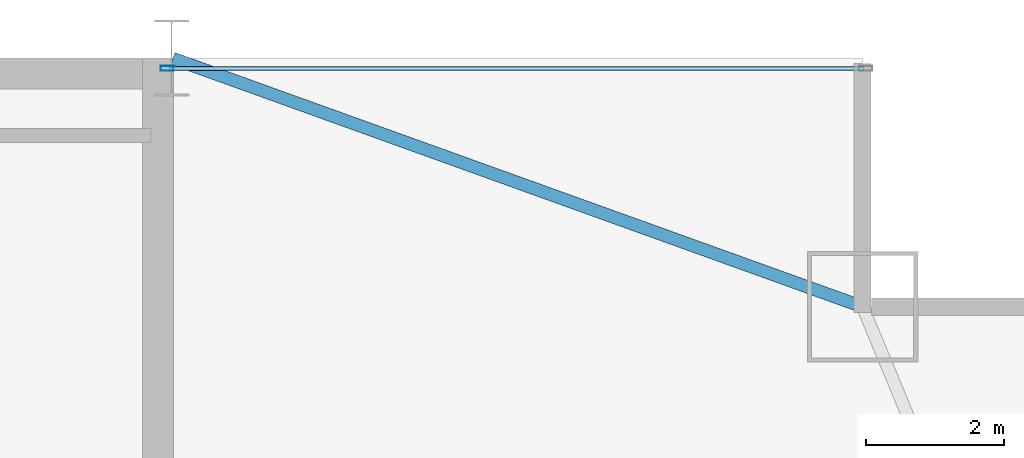
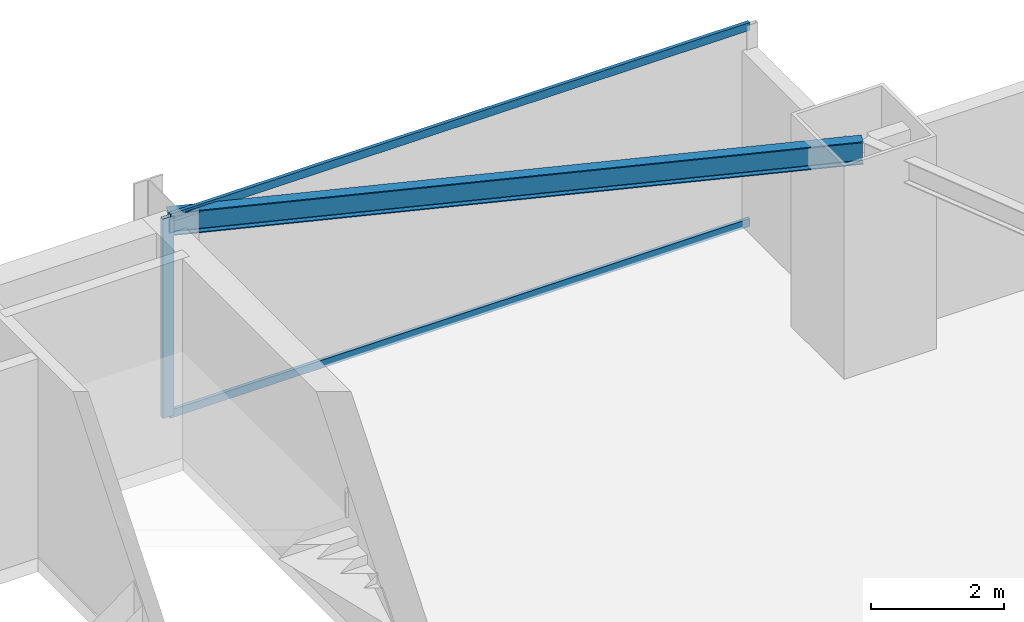
# One storey, part 22 of 31: 3 members, 1 beam, 1 element without a shape of its own.
"""IFC4 building model written with IfcOpenShell, lengths in metres."""

from ifc_helpers import new_model, si_unit, direction, frame, origin, origin_2d, place, context, subcontext, project, spatial, hollow_rectangle, i_section, extrude, source, transform, mapped, material, layer, layer_set, material_profile, profile_set, type_object, type_shapes, element, aggregate, save


model = new_model("IFC4")

# Units and contexts
model_context = context("Model", 3, precision=1e-05, world=origin(), true_north=direction((0.0, 1.0)))
body_context = subcontext(model_context, "Body", "Model", "MODEL_VIEW")
ifc_project = project(units=[si_unit("LENGTHUNIT", "METRE"), si_unit("AREAUNIT", "SQUARE_METRE"), si_unit("VOLUMEUNIT", "CUBIC_METRE"), si_unit("PLANEANGLEUNIT", "RADIAN"), si_unit("MASSUNIT", "GRAM", prefix="KILO")], contexts=[model_context])

# Site, building, storey
site_placement = place(None, origin())
site = spatial("IfcSite", under=ifc_project, at=site_placement, CompositionType="ELEMENT")
building_placement = place(site_placement, origin())
building = spatial("IfcBuilding", under=site, at=building_placement, Name="Varnel Quay Broadcast Tower", CompositionType="ELEMENT")
storey_placement = place(building_placement, frame((0.0, 0.0, 35.39990234375)))
storey = spatial("IfcBuildingStorey", under=building, at=storey_placement, Name="L07", CompositionType="ELEMENT", Elevation=35.39990234375)

# Beam
ifc_material_1 = material(Name="Structural Steel CSA G40.21 350W", Category="steel")
ifc_material_profile_1 = material_profile(ifc_material_1, i_section(OverallWidth=0.180908203125, OverallDepth=0.4169921875, WebThickness=0.010986328125, FlangeThickness=0.018310546875, FilletRadius=0.011962890625, at=origin_2d()), Name="W410X85")
ifc_profile_set_1 = profile_set([ifc_material_profile_1], Name="Structural Steel CSA G40.21 350W")
beam_type = type_object("IfcBeamType", Name="Beam_W410X85", PredefinedType="SPANDREL", material=ifc_profile_set_1)
shared_shape_1 = source(origin(), body_context, "Body", "SweptSolid", [
    extrude(i_section(OverallWidth=0.180908203125, OverallDepth=0.4169921875, WebThickness=0.010986328125, FlangeThickness=0.018310546875, FilletRadius=0.011962890625, at=origin_2d()), origin(), (0.0, 0.0, 1.0), 10.58837890625),
])
type_shapes(beam_type, [shared_shape_1])
beam_placement = place(storey_placement, frame((52.418701171875, 46.793212890625, 3.441650390625), z_axis=(0.940888587605, -0.338716202321, 0.0), x_axis=(0.338716202321, 0.940888587605, 0.0)))
element("IfcBeam", 1, at=beam_placement, inside=storey, type_object=beam_type, Name="L07 NE Tie Spandrel", PredefinedType="SPANDREL", context=body_context, shape_type="MappedRepresentation", body=[
    mapped(shared_shape_1, transform((0.0, 0.0, 0.0), x_axis=(1.0, 0.0, 0.0), y_axis=(0.0, 1.0, 0.0), z_axis=(0.0, 0.0, 1.0), scale=1.0)),
])

# Curtain wall, members
ifc_material_2 = material(Name="Anodised Bronze Aluminium 6063-T6", Category="aluminium")
ifc_layer = layer(ifc_material_2, 0.18994140625, Name="Anodised Bronze Aluminium 6063-T6")
ifc_layer_set = layer_set([ifc_layer], Name="Anodised Bronze Aluminium 6063-T6")
curtain_wall_type = type_object("IfcCurtainWallType", Name="CW_LowerTower", PredefinedType="NOTDEFINED", material=ifc_layer_set)
curtain_wall_placement = place(storey_placement, origin())
curtain_wall = element("IfcCurtainWall", 2, at=curtain_wall_placement, inside=storey, type_object=curtain_wall_type, Name="L07 NE Wing Curtain Wall", PredefinedType="NOTDEFINED")
ifc_material_profile_2 = material_profile(ifc_material_2, hollow_rectangle(XDim=0.06005859375, YDim=0.14501953125, WallThickness=0.00341796875, at=origin_2d()), Name="ALU60X145X3.5")
ifc_profile_set_2 = profile_set([ifc_material_profile_2], Name="Anodised Bronze Aluminium 6063-T6")
member_type_1 = type_object("IfcMemberType", Name="Tran_CWS-02", PredefinedType="USERDEFINED", material=ifc_profile_set_2)
shared_shape_2 = source(origin(), body_context, "Body", "SweptSolid", [
    extrude(hollow_rectangle(XDim=0.06005859375, YDim=0.14501953125, WallThickness=0.00341796875, at=origin_2d()), origin(), (0.0, 0.0, 1.0), 10.039794921875),
])
type_shapes(member_type_1, [shared_shape_2])
member_1_placement = place(storey_placement, frame((52.3701171875, 46.64990234375, 0.030029296875), z_axis=(1.0, 0.0, 0.0), x_axis=(0.0, 1.0, 0.0)))
member_1 = element("IfcMember", 3, at=member_1_placement, type_object=member_type_1, Name="CWS-02 transom 1.1", ObjectType="TRANSOM", PredefinedType="USERDEFINED", context=body_context, shape_type="MappedRepresentation", body=[
    mapped(shared_shape_2, transform((0.0, 0.0, 0.0), x_axis=(1.0, 0.0, 0.0), y_axis=(0.0, 1.0, 0.0), z_axis=(0.0, 0.0, 1.0), scale=1.0)),
])
member_2_placement = place(storey_placement, frame((52.3701171875, 46.64990234375, 3.6201171875), z_axis=(1.0, 0.0, 0.0), x_axis=(0.0, 1.0, 0.0)))
member_2 = element("IfcMember", 4, at=member_2_placement, type_object=member_type_1, Name="CWS-02 transom 1.2", ObjectType="TRANSOM", PredefinedType="USERDEFINED", context=body_context, shape_type="MappedRepresentation", body=[
    mapped(shared_shape_2, transform((0.0, 0.0, 0.0), x_axis=(1.0, 0.0, 0.0), y_axis=(0.0, 1.0, 0.0), z_axis=(0.0, 0.0, 1.0), scale=1.0)),
])
ifc_material_profile_3 = material_profile(ifc_material_2, hollow_rectangle(XDim=0.070068359375, YDim=0.18994140625, WallThickness=0.00390625, at=origin_2d()), Name="ALU70X190X4")
ifc_profile_set_3 = profile_set([ifc_material_profile_3], Name="Anodised Bronze Aluminium 6063-T6")
member_type_2 = type_object("IfcMemberType", Name="Mull_CWS-02", PredefinedType="MULLION", material=ifc_profile_set_3)
shared_shape_3 = source(origin(), body_context, "Body", "SweptSolid", [
    extrude(hollow_rectangle(XDim=0.070068359375, YDim=0.18994140625, WallThickness=0.00390625, at=origin_2d()), origin(), (0.0, 0.0, 1.0), 3.650146484375),
])
type_shapes(member_type_2, [shared_shape_3])
member_3_placement = place(storey_placement, frame((52.3349609375, 46.64990234375, 0.0), z_axis=(0.0, 0.0, 1.0), x_axis=(0.0, 1.0, 0.0)))
member_3 = element("IfcMember", 5, at=member_3_placement, type_object=member_type_2, Name="CWS-02 mullion 1", PredefinedType="MULLION", context=body_context, shape_type="MappedRepresentation", body=[
    mapped(shared_shape_3, transform((0.0, 0.0, 0.0), x_axis=(1.0, 0.0, 0.0), y_axis=(0.0, 1.0, 0.0), z_axis=(0.0, 0.0, 1.0), scale=1.0)),
])
aggregate(curtain_wall, [member_3, member_1, member_2])

save(model, "model.ifc")
